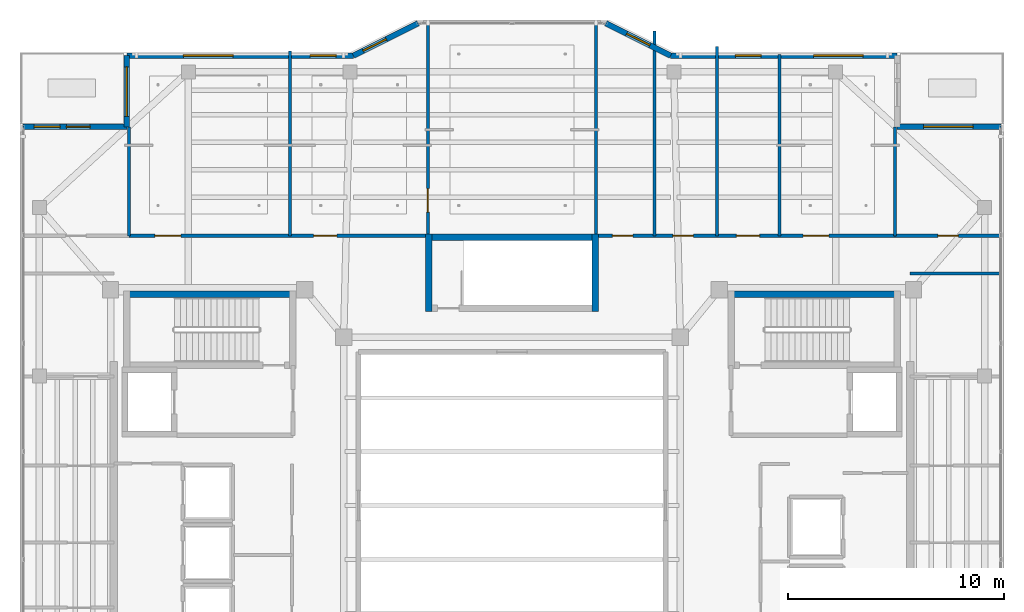
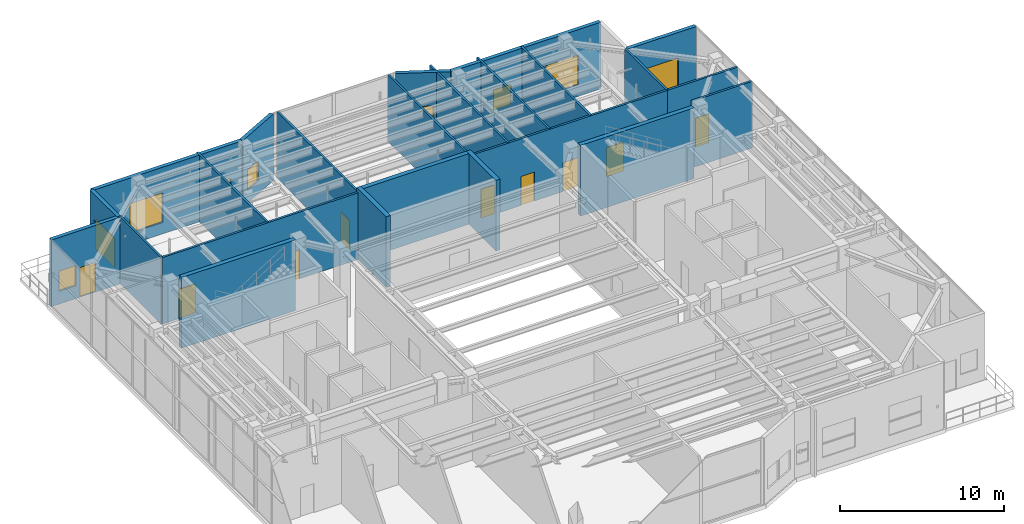
# One storey, part 17 of 23: 24 walls, 9 doors, 9 windows, 18 openings.
"""IFC4 building model written with IfcOpenShell, lengths in metres."""

from ifc_helpers import new_model, si_unit, direction, frame, frame_2d, origin, place, context, subcontext, project, spatial, rectangle, extrude, material, layer, layer_set, type_object, element, fill, save


model = new_model("IFC4")

# Units and contexts
model_context = context("Model", 3, precision=1e-05, world=origin(), true_north=direction((0.0, 1.0)))
body_context = subcontext(model_context, "Body", "Model", "MODEL_VIEW")
ifc_project = project(units=[si_unit("LENGTHUNIT", "METRE"), si_unit("AREAUNIT", "SQUARE_METRE"), si_unit("VOLUMEUNIT", "CUBIC_METRE"), si_unit("PLANEANGLEUNIT", "RADIAN"), si_unit("MASSUNIT", "GRAM", prefix="KILO")], contexts=[model_context])

# Site, building, storey
site_placement = place(None, origin())
site = spatial("IfcSite", under=ifc_project, at=site_placement, CompositionType="ELEMENT")
building_placement = place(site_placement, origin())
building = spatial("IfcBuilding", under=site, at=building_placement, Name="Tarnavaz Court Tower", CompositionType="ELEMENT")
storey_placement = place(building_placement, frame((0.0, 0.0, 276.300048828125)))
storey = spatial("IfcBuildingStorey", under=building, at=storey_placement, Name="L75", CompositionType="ELEMENT", Elevation=276.300048828125)

# Walls
ifc_material_1 = material(Name="Concrete C50/60", Category="concrete")
ifc_layer_1 = layer(ifc_material_1, 0.300048828125)
ifc_layer_set_1 = layer_set([ifc_layer_1], Name="Concrete C50/60")
wall_type_1 = type_object("IfcWallType", Name="WL-CORE-300-C50", PredefinedType="SHEAR", material=ifc_layer_set_1)
for number, where, z_axis, x_axis, name in (
    (1, (-18.0, 9.7900390625, 0.0), (0.0, 0.0, 1.0), (1.0, 0.0, 0.0), "L75 West Stair Core Wall 001"),
    (2, (10.0, 9.7900390625, 0.0), (0.0, 0.0, 1.0), (1.0, 0.0, 0.0), "L75 East Stair Core Wall 005"),
    (3, (-4.0, 12.43994140625, 0.0), (0.0, 0.0, 1.0), (1.0, 0.0, 0.0), "L75 North Stair Core Wall 009"),
):
    element("IfcWall", number, at=place(storey_placement, frame(where, z_axis=z_axis, x_axis=x_axis)), inside=storey, type_object=wall_type_1, Name=name, PredefinedType="SHEAR", context=body_context, shape_type="SweptSolid", body=[
        extrude(rectangle(XDim=8.0, YDim=0.300048828125, at=frame_2d((4.0, 0.0))), origin(), (0.0, 0.0, 1.0), 5.25),
    ])
for number, where, z_axis, x_axis, name in (
    (4, (-3.85009765625, 9.0, 0.0), (0.0, 0.0, 1.0), (0.0, 1.0, 0.0), "L75 North Stair Core Wall 011"),
    (5, (3.85009765625, 9.0, 0.0), (0.0, 0.0, 1.0), (0.0, 1.0, 0.0), "L75 North Stair Core Wall 012"),
):
    element("IfcWall", number, at=place(storey_placement, frame(where, z_axis=z_axis, x_axis=x_axis)), inside=storey, type_object=wall_type_1, Name=name, PredefinedType="SHEAR", context=body_context, shape_type="SweptSolid", body=[
        extrude(rectangle(XDim=3.590087890625, YDim=0.300048828125, at=frame_2d((1.794921875, 0.0))), origin(), (0.0, 0.0, 1.0), 5.25),
    ])

# Wall, openings, door, window
ifc_material_2 = material(Name="Precast Concrete C40/50", Category="concrete")
ifc_layer_2 = layer(ifc_material_2, 0.260009765625)
ifc_layer_set_2 = layer_set([ifc_layer_2], Name="Precast Concrete C40/50")
wall_type_2 = type_object("IfcWallType", Name="WL-EXT-260", PredefinedType="SOLIDWALL", material=ifc_layer_set_2)
wall_1_placement = place(storey_placement, frame((-22.64990234375, 17.550048828125, 0.0), z_axis=(0.0, 0.0, 1.0), x_axis=(1.0, 0.0, 0.0)))
wall_1 = element("IfcWall", 6, at=wall_1_placement, inside=storey, type_object=wall_type_2, Name="L75 Exterior Terracotta Facade Wall 03", PredefinedType="SOLIDWALL", context=body_context, shape_type="SweptSolid", body=[
    extrude(rectangle(XDim=4.7998046875, YDim=0.260009765625, at=frame_2d((2.39990234375, 0.0))), origin(), (0.0, 0.0, 1.0), 4.949951171875),
])
opening_1_placement = place(wall_1_placement, frame((2.0, 0.0, 0.0)))
opening_1 = element("IfcOpeningElement", 7, at=opening_1_placement, cuts=wall_1, Name="Opening TD1", PredefinedType="OPENING", context=body_context, shape_type="SweptSolid", body=[
    extrude(rectangle(XDim=1.10009765625, YDim=2.199951171875, at=frame_2d((0.550048828125, 1.10009765625))), frame((0.0, 0.139892578125, 0.0), z_axis=(0.0, -1.0, 0.0), x_axis=(1.0, 0.0, 0.0)), (0.0, 0.0, 1.0), 0.280029296875),
])
opening_2_placement = place(wall_1_placement, frame((0.50537109375, 0.0, 0.949951171875)))
opening_2 = element("IfcOpeningElement", 8, at=opening_2_placement, cuts=wall_1, Name="Opening W05", PredefinedType="OPENING", context=body_context, shape_type="SweptSolid", body=[
    extrude(rectangle(XDim=1.199951171875, YDim=1.5, at=frame_2d((0.60009765625, 0.75))), frame((0.0, 0.139892578125, 0.0), z_axis=(0.0, -1.0, 0.0), x_axis=(1.0, 0.0, 0.0)), (0.0, 0.0, 1.0), 0.280029296875),
])
ifc_material_3 = material(Name="Thermally Broken Aluminium and Laminated Glass", Category="aluminium")
door_type_1 = type_object("IfcDoorType", Name="DR-TERR-1100", OperationType="NOTDEFINED", PredefinedType="DOOR", material=ifc_material_3)
door_1_placement = place(opening_1_placement, origin())
door_1 = element("IfcDoor", 9, at=door_1_placement, inside=storey, type_object=door_type_1, Name="L75 Sky Terrace Access Door 2", OperationType="SINGLE_SWING_RIGHT", OverallHeight=2.199951171875, OverallWidth=1.10009765625, PredefinedType="DOOR", context=body_context, shape_type="SweptSolid", body=[
    extrude(rectangle(XDim=1.10009765625, YDim=2.199951171875, at=frame_2d((0.550048828125, 1.10009765625))), frame((0.0, 0.02490234375, 0.0), z_axis=(0.0, -1.0, 0.0), x_axis=(1.0, 0.0, 0.0)), (0.0, 0.0, 1.0), 0.050048828125),
])
fill(opening_1, door_1)
ifc_material_4 = material(Name="Double-Glazed Solar Low-E Glass", Category="glass")
window_type_1 = type_object("IfcWindowType", Name="WN-APT-1200", PartitioningType="SINGLE_PANEL", PredefinedType="WINDOW", material=ifc_material_4)
window_1_placement = place(opening_2_placement, origin())
window_1 = element("IfcWindow", 10, at=window_1_placement, inside=storey, type_object=window_type_1, Name="L75 L75 NW Terrace Salon Window", OverallHeight=1.5, OverallWidth=1.199951171875, PartitioningType="SINGLE_PANEL", PredefinedType="WINDOW", context=body_context, shape_type="SweptSolid", body=[
    extrude(rectangle(XDim=1.199951171875, YDim=1.5, at=frame_2d((0.60009765625, 0.75))), frame((0.0, 0.030029296875, 0.0), z_axis=(0.0, -1.0, 0.0), x_axis=(1.0, 0.0, 0.0)), (0.0, 0.0, 1.0), 0.06005859375),
])
fill(opening_2, window_1)

# Wall, opening, window
wall_2_placement = place(storey_placement, frame((-17.85009765625, 17.550048828125, 0.0), z_axis=(0.0, 0.0, 1.0), x_axis=(0.0, 1.0, 0.0)))
wall_2 = element("IfcWall", 11, at=wall_2_placement, inside=storey, type_object=wall_type_2, Name="L75 Exterior Terracotta Facade Wall 04", PredefinedType="SOLIDWALL", context=body_context, shape_type="SweptSolid", body=[
    extrude(rectangle(XDim=3.300048828125, YDim=0.260009765625, at=frame_2d((1.64990234375, 0.0))), origin(), (0.0, 0.0, 1.0), 4.949951171875),
])
opening_3_placement = place(wall_2_placement, frame((0.482421875, 0.0, 0.85009765625)))
opening_3 = element("IfcOpeningElement", 12, at=opening_3_placement, cuts=wall_2, Name="Opening W12", PredefinedType="OPENING", context=body_context, shape_type="SweptSolid", body=[
    extrude(rectangle(XDim=2.300048828125, YDim=2.199951171875, at=frame_2d((1.14990234375, 1.10009765625))), frame((0.0, 0.139892578125, 0.0), z_axis=(0.0, -1.0, 0.0), x_axis=(1.0, 0.0, 0.0)), (0.0, 0.0, 1.0), 0.280029296875),
])
window_type_2 = type_object("IfcWindowType", Name="WN-COM-2300", PartitioningType="DOUBLE_PANEL_VERTICAL", PredefinedType="WINDOW", material=ifc_material_4)
window_2_placement = place(opening_3_placement, origin())
window_2 = element("IfcWindow", 13, at=window_2_placement, inside=storey, type_object=window_type_2, Name="L75 Public Observation Viewing Deck Window", OverallHeight=2.199951171875, OverallWidth=2.300048828125, PartitioningType="SINGLE_PANEL", PredefinedType="WINDOW", context=body_context, shape_type="SweptSolid", body=[
    extrude(rectangle(XDim=2.300048828125, YDim=2.199951171875, at=frame_2d((1.14990234375, 1.10009765625))), frame((0.0, 0.030029296875, 0.0), z_axis=(0.0, -1.0, 0.0), x_axis=(1.0, 0.0, 0.0)), (0.0, 0.0, 1.0), 0.06005859375),
])
fill(opening_3, window_2)

# Wall, openings, windows
wall_3_placement = place(storey_placement, frame((-17.85009765625, 20.85009765625, 0.0), z_axis=(0.0, 0.0, 1.0), x_axis=(1.0, 0.0, 0.0)))
wall_3 = element("IfcWall", 14, at=wall_3_placement, inside=storey, type_object=wall_type_2, Name="L75 Exterior Terracotta Facade Wall 05", PredefinedType="SOLIDWALL", context=body_context, shape_type="SweptSolid", body=[
    extrude(rectangle(XDim=10.5, YDim=0.260009765625, at=frame_2d((5.25, 0.0))), origin(), (0.0, 0.0, 1.0), 4.949951171875),
])
opening_4_placement = place(wall_3_placement, frame((2.625, 0.0, 0.85009765625)))
opening_4 = element("IfcOpeningElement", 15, at=opening_4_placement, cuts=wall_3, Name="Opening W12", PredefinedType="OPENING", context=body_context, shape_type="SweptSolid", body=[
    extrude(rectangle(XDim=2.300048828125, YDim=2.199951171875, at=frame_2d((1.14990234375, 1.10009765625))), frame((0.0, 0.139892578125, 0.0), z_axis=(0.0, -1.0, 0.0), x_axis=(1.0, 0.0, 0.0)), (0.0, 0.0, 1.0), 0.280029296875),
])
opening_5_placement = place(wall_3_placement, frame((8.5, 0.0, 0.949951171875)))
opening_5 = element("IfcOpeningElement", 16, at=opening_5_placement, cuts=wall_3, Name="Opening W05", PredefinedType="OPENING", context=body_context, shape_type="SweptSolid", body=[
    extrude(rectangle(XDim=1.199951171875, YDim=1.5, at=frame_2d((0.60009765625, 0.75))), frame((0.0, 0.139892578125, 0.0), z_axis=(0.0, -1.0, 0.0), x_axis=(1.0, 0.0, 0.0)), (0.0, 0.0, 1.0), 0.280029296875),
])
window_3_placement = place(opening_5_placement, origin())
window_3 = element("IfcWindow", 17, at=window_3_placement, inside=storey, type_object=window_type_1, Name="L75 Skyline Heritage Art Gallery Window", OverallHeight=1.5, OverallWidth=1.199951171875, PartitioningType="SINGLE_PANEL", PredefinedType="WINDOW", context=body_context, shape_type="SweptSolid", body=[
    extrude(rectangle(XDim=1.199951171875, YDim=1.5, at=frame_2d((0.60009765625, 0.75))), frame((0.0, 0.030029296875, 0.0), z_axis=(0.0, -1.0, 0.0), x_axis=(1.0, 0.0, 0.0)), (0.0, 0.0, 1.0), 0.06005859375),
])
fill(opening_5, window_3)
window_4_placement = place(opening_4_placement, origin())
window_4 = element("IfcWindow", 18, at=window_4_placement, inside=storey, type_object=window_type_2, Name="L75 Public Observation Viewing Deck Window", OverallHeight=2.199951171875, OverallWidth=2.300048828125, PartitioningType="SINGLE_PANEL", PredefinedType="WINDOW", context=body_context, shape_type="SweptSolid", body=[
    extrude(rectangle(XDim=2.300048828125, YDim=2.199951171875, at=frame_2d((1.14990234375, 1.10009765625))), frame((0.0, 0.030029296875, 0.0), z_axis=(0.0, -1.0, 0.0), x_axis=(1.0, 0.0, 0.0)), (0.0, 0.0, 1.0), 0.06005859375),
])
fill(opening_4, window_4)

# Wall, opening, window
wall_4_placement = place(storey_placement, frame((-7.35009765625, 20.85009765625, 0.0), z_axis=(0.0, 0.0, 1.0), x_axis=(0.894427191, 0.4472135955, 0.0)))
wall_4 = element("IfcWall", 19, at=wall_4_placement, inside=storey, type_object=wall_type_2, Name="L75 Exterior Terracotta Facade Wall 06", PredefinedType="SOLIDWALL", context=body_context, shape_type="SweptSolid", body=[
    extrude(rectangle(XDim=3.35400390625, YDim=0.260009765625, at=frame_2d((1.677001953125, 0.0))), origin(), (0.0, 0.0, 1.0), 4.949951171875),
])
opening_6_placement = place(wall_4_placement, frame((0.501220703125, 0.0, 0.949951171875)))
opening_6 = element("IfcOpeningElement", 20, at=opening_6_placement, cuts=wall_4, Name="Opening W05", PredefinedType="OPENING", context=body_context, shape_type="SweptSolid", body=[
    extrude(rectangle(XDim=1.199951171875, YDim=1.5, at=frame_2d((0.60009765625, 0.75))), frame((0.0, 0.139892578125, 0.0), z_axis=(0.0, -1.0, 0.0), x_axis=(1.0, 0.0, 0.0)), (0.0, 0.0, 1.0), 0.280029296875),
])
window_5_placement = place(opening_6_placement, origin())
window_5 = element("IfcWindow", 21, at=window_5_placement, inside=storey, type_object=window_type_1, Name="L75 Skyline Heritage Art Gallery Window", OverallHeight=1.5, OverallWidth=1.199951171875, PartitioningType="SINGLE_PANEL", PredefinedType="WINDOW", context=body_context, shape_type="SweptSolid", body=[
    extrude(rectangle(XDim=1.199951171875, YDim=1.5, at=frame_2d((0.60009765625, 0.75))), frame((0.0, 0.030029296875, 0.0), z_axis=(0.0, -1.0, 0.0), x_axis=(1.0, 0.0, 0.0)), (0.0, 0.0, 1.0), 0.06005859375),
])
fill(opening_6, window_5)

wall_5_placement = place(storey_placement, frame((4.35009765625, 22.35009765625, 0.0), z_axis=(0.0, 0.0, 1.0), x_axis=(0.894427191, -0.4472135955, 0.0)))
wall_5 = element("IfcWall", 22, at=wall_5_placement, inside=storey, type_object=wall_type_2, Name="L75 Exterior Terracotta Facade Wall 08", PredefinedType="SOLIDWALL", context=body_context, shape_type="SweptSolid", body=[
    extrude(rectangle(XDim=3.35400390625, YDim=0.260009765625, at=frame_2d((1.677001953125, 0.0))), origin(), (0.0, 0.0, 1.0), 4.949951171875),
])
opening_7_placement = place(wall_5_placement, frame((1.0771484375, 0.0, 0.949951171875)))
opening_7 = element("IfcOpeningElement", 23, at=opening_7_placement, cuts=wall_5, Name="Opening W05", PredefinedType="OPENING", context=body_context, shape_type="SweptSolid", body=[
    extrude(rectangle(XDim=1.199951171875, YDim=1.5, at=frame_2d((0.60009765625, 0.75))), frame((0.0, 0.139892578125, 0.0), z_axis=(0.0, -1.0, 0.0), x_axis=(1.0, 0.0, 0.0)), (0.0, 0.0, 1.0), 0.280029296875),
])
window_6_placement = place(opening_7_placement, origin())
window_6 = element("IfcWindow", 24, at=window_6_placement, inside=storey, type_object=window_type_1, Name="L75 Prow Cheek Bedroom Window 08", OverallHeight=1.5, OverallWidth=1.199951171875, PartitioningType="SINGLE_PANEL", PredefinedType="WINDOW", context=body_context, shape_type="SweptSolid", body=[
    extrude(rectangle(XDim=1.199951171875, YDim=1.5, at=frame_2d((0.60009765625, 0.75))), frame((0.0, 0.030029296875, 0.0), z_axis=(0.0, -1.0, 0.0), x_axis=(1.0, 0.0, 0.0)), (0.0, 0.0, 1.0), 0.06005859375),
])
fill(opening_7, window_6)

# Wall, openings, windows
wall_6_placement = place(storey_placement, frame((7.35009765625, 20.85009765625, 0.0), z_axis=(0.0, 0.0, 1.0), x_axis=(1.0, 0.0, 0.0)))
wall_6 = element("IfcWall", 25, at=wall_6_placement, inside=storey, type_object=wall_type_2, Name="L75 Exterior Terracotta Facade Wall 09", PredefinedType="SOLIDWALL", context=body_context, shape_type="SweptSolid", body=[
    extrude(rectangle(XDim=10.5, YDim=0.260009765625, at=frame_2d((5.25, 0.0))), origin(), (0.0, 0.0, 1.0), 4.949951171875),
])
opening_8_placement = place(wall_6_placement, frame((3.0, 0.0, 0.949951171875)))
opening_8 = element("IfcOpeningElement", 26, at=opening_8_placement, cuts=wall_6, Name="Opening W05", PredefinedType="OPENING", context=body_context, shape_type="SweptSolid", body=[
    extrude(rectangle(XDim=1.199951171875, YDim=1.5, at=frame_2d((0.60009765625, 0.75))), frame((0.0, 0.139892578125, 0.0), z_axis=(0.0, -1.0, 0.0), x_axis=(1.0, 0.0, 0.0)), (0.0, 0.0, 1.0), 0.280029296875),
])
opening_9_placement = place(wall_6_placement, frame((6.625, 0.0, 0.85009765625)))
opening_9 = element("IfcOpeningElement", 27, at=opening_9_placement, cuts=wall_6, Name="Opening W12", PredefinedType="OPENING", context=body_context, shape_type="SweptSolid", body=[
    extrude(rectangle(XDim=2.300048828125, YDim=2.199951171875, at=frame_2d((1.14990234375, 1.10009765625))), frame((0.0, 0.139892578125, 0.0), z_axis=(0.0, -1.0, 0.0), x_axis=(1.0, 0.0, 0.0)), (0.0, 0.0, 1.0), 0.280029296875),
])
window_7_placement = place(opening_8_placement, origin())
window_7 = element("IfcWindow", 28, at=window_7_placement, inside=storey, type_object=window_type_1, Name="L75 Community Seminar Meeting Room Window", OverallHeight=1.5, OverallWidth=1.199951171875, PartitioningType="SINGLE_PANEL", PredefinedType="WINDOW", context=body_context, shape_type="SweptSolid", body=[
    extrude(rectangle(XDim=1.199951171875, YDim=1.5, at=frame_2d((0.60009765625, 0.75))), frame((0.0, 0.030029296875, 0.0), z_axis=(0.0, -1.0, 0.0), x_axis=(1.0, 0.0, 0.0)), (0.0, 0.0, 1.0), 0.06005859375),
])
fill(opening_8, window_7)
window_8_placement = place(opening_9_placement, origin())
window_8 = element("IfcWindow", 29, at=window_8_placement, inside=storey, type_object=window_type_2, Name="L75 Panoramic Exhibition Lecture Room Window", OverallHeight=2.199951171875, OverallWidth=2.300048828125, PartitioningType="SINGLE_PANEL", PredefinedType="WINDOW", context=body_context, shape_type="SweptSolid", body=[
    extrude(rectangle(XDim=2.300048828125, YDim=2.199951171875, at=frame_2d((1.14990234375, 1.10009765625))), frame((0.0, 0.030029296875, 0.0), z_axis=(0.0, -1.0, 0.0), x_axis=(1.0, 0.0, 0.0)), (0.0, 0.0, 1.0), 0.06005859375),
])
fill(opening_9, window_8)

# Wall, opening, window
wall_7_placement = place(storey_placement, frame((17.85009765625, 17.550048828125, 0.0), z_axis=(0.0, 0.0, 1.0), x_axis=(1.0, 0.0, 0.0)))
wall_7 = element("IfcWall", 30, at=wall_7_placement, inside=storey, type_object=wall_type_2, Name="L75 Exterior Terracotta Facade Wall 11", PredefinedType="SOLIDWALL", context=body_context, shape_type="SweptSolid", body=[
    extrude(rectangle(XDim=4.7998046875, YDim=0.260009765625, at=frame_2d((2.39990234375, 0.0))), origin(), (0.0, 0.0, 1.0), 4.949951171875),
])
opening_10_placement = place(wall_7_placement, frame((1.224609375, 0.0, 0.85009765625)))
opening_10 = element("IfcOpeningElement", 31, at=opening_10_placement, cuts=wall_7, Name="Opening W12", PredefinedType="OPENING", context=body_context, shape_type="SweptSolid", body=[
    extrude(rectangle(XDim=2.300048828125, YDim=2.199951171875, at=frame_2d((1.14990234375, 1.10009765625))), frame((0.0, 0.139892578125, 0.0), z_axis=(0.0, -1.0, 0.0), x_axis=(1.0, 0.0, 0.0)), (0.0, 0.0, 1.0), 0.280029296875),
])
window_9_placement = place(opening_10_placement, origin())
window_9 = element("IfcWindow", 32, at=window_9_placement, inside=storey, type_object=window_type_2, Name="L75 L75 NE Terrace Salon Window", OverallHeight=2.199951171875, OverallWidth=2.300048828125, PartitioningType="SINGLE_PANEL", PredefinedType="WINDOW", context=body_context, shape_type="SweptSolid", body=[
    extrude(rectangle(XDim=2.300048828125, YDim=2.199951171875, at=frame_2d((1.14990234375, 1.10009765625))), frame((0.0, 0.030029296875, 0.0), z_axis=(0.0, -1.0, 0.0), x_axis=(1.0, 0.0, 0.0)), (0.0, 0.0, 1.0), 0.06005859375),
])
fill(opening_10, window_9)

# Wall, openings, doors
ifc_material_5 = material(Name="Gypsum Fire-Board on Acoustic Metal Stud", Category="masonry")
ifc_layer_3 = layer(ifc_material_5, 0.14990234375)
ifc_layer_set_3 = layer_set([ifc_layer_3], Name="Gypsum Fire-Board on Acoustic Metal Stud")
wall_type_3 = type_object("IfcWallType", Name="WL-FIRE-150", PredefinedType="PARTITIONING", material=ifc_layer_set_3)
wall_8_placement = place(storey_placement, frame((-17.75, 12.5, 0.0), z_axis=(0.0, 0.0, 1.0), x_axis=(1.0, 0.0, 0.0)))
wall_8 = element("IfcWall", 33, at=wall_8_placement, inside=storey, type_object=wall_type_3, Name="L75 NW Wing Corridor Wall 057", PredefinedType="PARTITIONING", context=body_context, shape_type="SweptSolid", body=[
    extrude(rectangle(XDim=13.89990234375, YDim=0.14990234375, at=frame_2d((6.949951171875, 0.0))), origin(), (0.0, 0.0, 1.0), 4.949951171875),
])
opening_11_placement = place(wall_8_placement, frame((1.199951171875, 0.0, 0.0)))
opening_11 = element("IfcOpeningElement", 34, at=opening_11_placement, cuts=wall_8, Name="Opening D11", PredefinedType="OPENING", context=body_context, shape_type="SweptSolid", body=[
    extrude(rectangle(XDim=1.199951171875, YDim=2.14990234375, at=frame_2d((0.60009765625, 1.074951171875))), frame((0.0, 0.0849609375, 0.0), z_axis=(0.0, -1.0, 0.0), x_axis=(1.0, 0.0, 0.0)), (0.0, 0.0, 1.0), 0.169921875),
])
opening_12_placement = place(wall_8_placement, frame((8.552001953125, 0.0, 0.0)))
opening_12 = element("IfcOpeningElement", 35, at=opening_12_placement, cuts=wall_8, Name="Opening D12", PredefinedType="OPENING", context=body_context, shape_type="SweptSolid", body=[
    extrude(rectangle(XDim=1.080078125, YDim=2.14990234375, at=frame_2d((0.5400390625, 1.074951171875))), frame((0.0, 0.0849609375, 0.0), z_axis=(0.0, -1.0, 0.0), x_axis=(1.0, 0.0, 0.0)), (0.0, 0.0, 1.0), 0.169921875),
])
ifc_material_6 = material(Name="Engineered Oak Timber", Category="wood")
door_type_2 = type_object("IfcDoorType", Name="DR-INT-1100", OperationType="NOTDEFINED", PredefinedType="DOOR", material=ifc_material_6)
door_2_placement = place(opening_12_placement, origin())
door_2 = element("IfcDoor", 36, at=door_2_placement, inside=storey, type_object=door_type_2, Name="L75 Skyline Heritage Art Gallery Door", OperationType="SINGLE_SWING_RIGHT", OverallHeight=2.14990234375, OverallWidth=1.080078125, PredefinedType="DOOR", context=body_context, shape_type="SweptSolid", body=[
    extrude(rectangle(XDim=1.080078125, YDim=2.14990234375, at=frame_2d((0.5400390625, 1.074951171875))), frame((0.0, 0.02490234375, 0.0), z_axis=(0.0, -1.0, 0.0), x_axis=(1.0, 0.0, 0.0)), (0.0, 0.0, 1.0), 0.050048828125),
])
fill(opening_12, door_2)
door_type_3 = type_object("IfcDoorType", Name="DR-INT-1200", OperationType="NOTDEFINED", PredefinedType="DOOR", material=ifc_material_6)
door_3_placement = place(opening_11_placement, origin())
door_3 = element("IfcDoor", 37, at=door_3_placement, inside=storey, type_object=door_type_3, Name="L75 Public Observation Viewing Deck Door", OperationType="SINGLE_SWING_LEFT", OverallHeight=2.14990234375, OverallWidth=1.199951171875, PredefinedType="DOOR", context=body_context, shape_type="SweptSolid", body=[
    extrude(rectangle(XDim=1.199951171875, YDim=2.14990234375, at=frame_2d((0.60009765625, 1.074951171875))), frame((0.0, 0.02490234375, 0.0), z_axis=(0.0, -1.0, 0.0), x_axis=(1.0, 0.0, 0.0)), (0.0, 0.0, 1.0), 0.050048828125),
])
fill(opening_11, door_3)

wall_9_placement = place(storey_placement, frame((3.85009765625, 12.5, 0.0), z_axis=(0.0, 0.0, 1.0), x_axis=(1.0, 0.0, 0.0)))
wall_9 = element("IfcWall", 38, at=wall_9_placement, inside=storey, type_object=wall_type_3, Name="L75 NE Wing Corridor Wall 058", PredefinedType="PARTITIONING", context=body_context, shape_type="SweptSolid", body=[
    extrude(rectangle(XDim=13.89990234375, YDim=0.14990234375, at=frame_2d((6.949951171875, 0.0))), origin(), (0.0, 0.0, 1.0), 4.949951171875),
])
opening_13_placement = place(wall_9_placement, frame((0.800048828125, 0.0, 0.0)))
opening_13 = element("IfcOpeningElement", 39, at=opening_13_placement, cuts=wall_9, Name="Opening D13", PredefinedType="OPENING", context=body_context, shape_type="SweptSolid", body=[
    extrude(rectangle(XDim=0.949951171875, YDim=2.14990234375, at=frame_2d((0.47509765625, 1.074951171875))), frame((0.0, 0.0849609375, 0.0), z_axis=(0.0, -1.0, 0.0), x_axis=(1.0, 0.0, 0.0)), (0.0, 0.0, 1.0), 0.169921875),
])
opening_14_placement = place(wall_9_placement, frame((3.60009765625, 0.0, 0.0)))
opening_14 = element("IfcOpeningElement", 40, at=opening_14_placement, cuts=wall_9, Name="Opening D13", PredefinedType="OPENING", context=body_context, shape_type="SweptSolid", body=[
    extrude(rectangle(XDim=0.949951171875, YDim=2.14990234375, at=frame_2d((0.47509765625, 1.074951171875))), frame((0.0, 0.0849609375, 0.0), z_axis=(0.0, -1.0, 0.0), x_axis=(1.0, 0.0, 0.0)), (0.0, 0.0, 1.0), 0.169921875),
])
opening_15_placement = place(wall_9_placement, frame((6.550048828125, 0.0, 0.0)))
opening_15 = element("IfcOpeningElement", 41, at=opening_15_placement, cuts=wall_9, Name="Opening D12", PredefinedType="OPENING", context=body_context, shape_type="SweptSolid", body=[
    extrude(rectangle(XDim=1.080078125, YDim=2.14990234375, at=frame_2d((0.5400390625, 1.074951171875))), frame((0.0, 0.0849609375, 0.0), z_axis=(0.0, -1.0, 0.0), x_axis=(1.0, 0.0, 0.0)), (0.0, 0.0, 1.0), 0.169921875),
])
opening_16_placement = place(wall_9_placement, frame((9.636962890625, 0.0, 0.0)))
opening_16 = element("IfcOpeningElement", 42, at=opening_16_placement, cuts=wall_9, Name="Opening D11", PredefinedType="OPENING", context=body_context, shape_type="SweptSolid", body=[
    extrude(rectangle(XDim=1.199951171875, YDim=2.14990234375, at=frame_2d((0.60009765625, 1.074951171875))), frame((0.0, 0.0849609375, 0.0), z_axis=(0.0, -1.0, 0.0), x_axis=(1.0, 0.0, 0.0)), (0.0, 0.0, 1.0), 0.169921875),
])
door_4_placement = place(opening_15_placement, origin())
door_4 = element("IfcDoor", 43, at=door_4_placement, inside=storey, type_object=door_type_2, Name="L75 Community Meeting Room Door", OperationType="SINGLE_SWING_RIGHT", OverallHeight=2.14990234375, OverallWidth=1.080078125, PredefinedType="DOOR", context=body_context, shape_type="SweptSolid", body=[
    extrude(rectangle(XDim=1.080078125, YDim=2.14990234375, at=frame_2d((0.5400390625, 1.074951171875))), frame((0.0, 0.02490234375, 0.0), z_axis=(0.0, -1.0, 0.0), x_axis=(1.0, 0.0, 0.0)), (0.0, 0.0, 1.0), 0.050048828125),
])
fill(opening_15, door_4)
door_5_placement = place(opening_16_placement, origin())
door_5 = element("IfcDoor", 44, at=door_5_placement, inside=storey, type_object=door_type_3, Name="L75 Panoramic Exhibition Lecture Room Door", OperationType="SINGLE_SWING_LEFT", OverallHeight=2.14990234375, OverallWidth=1.199951171875, PredefinedType="DOOR", context=body_context, shape_type="SweptSolid", body=[
    extrude(rectangle(XDim=1.199951171875, YDim=2.14990234375, at=frame_2d((0.60009765625, 1.074951171875))), frame((0.0, 0.02490234375, 0.0), z_axis=(0.0, -1.0, 0.0), x_axis=(1.0, 0.0, 0.0)), (0.0, 0.0, 1.0), 0.050048828125),
])
fill(opening_16, door_5)
door_type_4 = type_object("IfcDoorType", Name="DR-INT-950", OperationType="NOTDEFINED", PredefinedType="DOOR", material=ifc_material_6)
door_6_placement = place(opening_13_placement, origin())
door_6 = element("IfcDoor", 45, at=door_6_placement, inside=storey, type_object=door_type_4, Name="L75 Accessible WC Door", OperationType="SINGLE_SWING_RIGHT", OverallHeight=2.14990234375, OverallWidth=0.949951171875, PredefinedType="DOOR", context=body_context, shape_type="SweptSolid", body=[
    extrude(rectangle(XDim=0.949951171875, YDim=2.14990234375, at=frame_2d((0.47509765625, 1.074951171875))), frame((0.0, 0.02490234375, 0.0), z_axis=(0.0, -1.0, 0.0), x_axis=(1.0, 0.0, 0.0)), (0.0, 0.0, 1.0), 0.050048828125),
])
fill(opening_13, door_6)
door_7_placement = place(opening_14_placement, origin())
door_7 = element("IfcDoor", 46, at=door_7_placement, inside=storey, type_object=door_type_4, Name="L75 Public Toilets Door", OperationType="SINGLE_SWING_LEFT", OverallHeight=2.14990234375, OverallWidth=0.949951171875, PredefinedType="DOOR", context=body_context, shape_type="SweptSolid", body=[
    extrude(rectangle(XDim=0.949951171875, YDim=2.14990234375, at=frame_2d((0.47509765625, 1.074951171875))), frame((0.0, 0.02490234375, 0.0), z_axis=(0.0, -1.0, 0.0), x_axis=(1.0, 0.0, 0.0)), (0.0, 0.0, 1.0), 0.050048828125),
])
fill(opening_14, door_7)

# Wall
wall_10_placement = place(storey_placement, frame((18.449951171875, 10.75, 0.0), z_axis=(0.0, 0.0, 1.0), x_axis=(1.0, 0.0, 0.0)))
element("IfcWall", 47, at=wall_10_placement, inside=storey, type_object=wall_type_3, Name="L75 Interior Partition 076", PredefinedType="PARTITIONING", context=body_context, shape_type="SweptSolid", body=[
    extrude(rectangle(XDim=4.22998046875, YDim=0.14990234375, at=frame_2d((2.114990234375, 0.0))), origin(), (0.0, 0.0, 1.0), 4.949951171875),
])

# Wall, opening, door
wall_11_placement = place(storey_placement, frame((17.75, 12.5, 0.0), z_axis=(0.0, 0.0, 1.0), x_axis=(1.0, 0.0, 0.0)))
wall_11 = element("IfcWall", 48, at=wall_11_placement, inside=storey, type_object=wall_type_3, Name="L75 Interior Partition 082", PredefinedType="PARTITIONING", context=body_context, shape_type="SweptSolid", body=[
    extrude(rectangle(XDim=4.929931640625, YDim=0.14990234375, at=frame_2d((2.46484375, 0.0))), origin(), (0.0, 0.0, 1.0), 4.949951171875),
])
opening_17_placement = place(wall_11_placement, frame((1.989990234375, 0.0, 0.0)))
opening_17 = element("IfcOpeningElement", 49, at=opening_17_placement, cuts=wall_11, Name="Opening D13", PredefinedType="OPENING", context=body_context, shape_type="SweptSolid", body=[
    extrude(rectangle(XDim=0.949951171875, YDim=2.14990234375, at=frame_2d((0.47509765625, 1.074951171875))), frame((0.0, 0.0849609375, 0.0), z_axis=(0.0, -1.0, 0.0), x_axis=(1.0, 0.0, 0.0)), (0.0, 0.0, 1.0), 0.169921875),
])
door_8_placement = place(opening_17_placement, origin())
door_8 = element("IfcDoor", 50, at=door_8_placement, inside=storey, type_object=door_type_4, Name="L75 NE Terrace Salon Door", OperationType="SINGLE_SWING_LEFT", OverallHeight=2.14990234375, OverallWidth=0.949951171875, PredefinedType="DOOR", context=body_context, shape_type="SweptSolid", body=[
    extrude(rectangle(XDim=0.949951171875, YDim=2.14990234375, at=frame_2d((0.47509765625, 1.074951171875))), frame((0.0, 0.02490234375, 0.0), z_axis=(0.0, -1.0, 0.0), x_axis=(1.0, 0.0, 0.0)), (0.0, 0.0, 1.0), 0.050048828125),
])
fill(opening_17, door_8)

ifc_material_7 = material(Name="Gypsum Plasterboard Acoustic Partition", Category="masonry")
ifc_layer_4 = layer(ifc_material_7, 0.139892578125)
ifc_layer_set_4 = layer_set([ifc_layer_4], Name="Gypsum Plasterboard Acoustic Partition")
wall_type_4 = type_object("IfcWallType", Name="WL-PART-150", PredefinedType="PARTITIONING", material=ifc_layer_set_4)
wall_12_placement = place(storey_placement, frame((-3.89990234375, 12.5, 0.0), z_axis=(0.0, 0.0, 1.0), x_axis=(0.0, 1.0, 0.0)))
wall_12 = element("IfcWall", 51, at=wall_12_placement, inside=storey, type_object=wall_type_4, Name="L75 Interior Partition 061", PredefinedType="PARTITIONING", context=body_context, shape_type="SweptSolid", body=[
    extrude(rectangle(XDim=9.8798828125, YDim=0.139892578125, at=frame_2d((4.93994140625, 0.0))), origin(), (0.0, 0.0, 1.0), 4.949951171875),
])
opening_18_placement = place(wall_12_placement, frame((1.10009765625, 0.0, 0.0)))
opening_18 = element("IfcOpeningElement", 52, at=opening_18_placement, cuts=wall_12, Name="Opening D12", PredefinedType="OPENING", context=body_context, shape_type="SweptSolid", body=[
    extrude(rectangle(XDim=1.080078125, YDim=2.14990234375, at=frame_2d((0.5400390625, 1.074951171875))), frame((0.0, 0.079833984375, 0.0), z_axis=(0.0, -1.0, 0.0), x_axis=(1.0, 0.0, 0.0)), (0.0, 0.0, 1.0), 0.159912109375),
])
door_9_placement = place(opening_18_placement, origin())
door_9 = element("IfcDoor", 53, at=door_9_placement, inside=storey, type_object=door_type_2, Name="L75 North Iwan Sky Salon Door", OperationType="SINGLE_SWING_LEFT", OverallHeight=2.14990234375, OverallWidth=1.080078125, PredefinedType="DOOR", context=body_context, shape_type="SweptSolid", body=[
    extrude(rectangle(XDim=1.080078125, YDim=2.14990234375, at=frame_2d((0.5400390625, 1.074951171875))), frame((0.0, 0.02490234375, 0.0), z_axis=(0.0, -1.0, 0.0), x_axis=(1.0, 0.0, 0.0)), (0.0, 0.0, 1.0), 0.050048828125),
])
fill(opening_18, door_9)

# Walls
wall_13_placement = place(storey_placement, frame((3.89990234375, 12.5, 0.0), z_axis=(0.0, 0.0, 1.0), x_axis=(0.0, 1.0, 0.0)))
element("IfcWall", 54, at=wall_13_placement, inside=storey, type_object=wall_type_4, Name="L75 Interior Partition 062", PredefinedType="PARTITIONING", context=body_context, shape_type="SweptSolid", body=[
    extrude(rectangle(XDim=9.8798828125, YDim=0.139892578125, at=frame_2d((4.93994140625, 0.0))), origin(), (0.0, 0.0, 1.0), 4.949951171875),
])
wall_14_placement = place(storey_placement, frame((-10.298095703125, 12.5, 0.0), z_axis=(0.0, 0.0, 1.0), x_axis=(0.0, 1.0, 0.0)))
element("IfcWall", 55, at=wall_14_placement, inside=storey, type_object=wall_type_4, Name="L75 Interior Partition 063", PredefinedType="PARTITIONING", context=body_context, shape_type="SweptSolid", body=[
    extrude(rectangle(XDim=8.572998046875, YDim=0.139892578125, at=frame_2d((4.28662109375, 0.0))), origin(), (0.0, 0.0, 1.0), 4.949951171875),
])
wall_15_placement = place(storey_placement, frame((6.60009765625, 12.5, 0.0), z_axis=(0.0, 0.0, 1.0), x_axis=(0.0, 1.0, 0.0)))
element("IfcWall", 56, at=wall_15_placement, inside=storey, type_object=wall_type_4, Name="L75 Interior Partition 064", PredefinedType="PARTITIONING", context=body_context, shape_type="SweptSolid", body=[
    extrude(rectangle(XDim=9.485107421875, YDim=0.139892578125, at=frame_2d((4.74267578125, 0.0))), origin(), (0.0, 0.0, 1.0), 4.949951171875),
])
wall_16_placement = place(storey_placement, frame((9.5, 12.5, 0.0), z_axis=(0.0, 0.0, 1.0), x_axis=(0.0, 1.0, 0.0)))
element("IfcWall", 57, at=wall_16_placement, inside=storey, type_object=wall_type_4, Name="L75 Interior Partition 065", PredefinedType="PARTITIONING", context=body_context, shape_type="SweptSolid", body=[
    extrude(rectangle(XDim=8.77001953125, YDim=0.139892578125, at=frame_2d((4.385009765625, 0.0))), origin(), (0.0, 0.0, 1.0), 4.949951171875),
])
wall_17_placement = place(storey_placement, frame((12.386962890625, 12.5, 0.0), z_axis=(0.0, 0.0, 1.0), x_axis=(0.0, 1.0, 0.0)))
element("IfcWall", 58, at=wall_17_placement, inside=storey, type_object=wall_type_4, Name="L75 Interior Partition 066", PredefinedType="PARTITIONING", context=body_context, shape_type="SweptSolid", body=[
    extrude(rectangle(XDim=8.39990234375, YDim=0.139892578125, at=frame_2d((4.199951171875, 0.0))), origin(), (0.0, 0.0, 1.0), 4.949951171875),
])
for number, where, z_axis, x_axis, name in (
    (59, (-17.75, 12.5, 0.0), (0.0, 0.0, 1.0), (0.0, 1.0, 0.0), "L75 Interior Partition 079"),
    (60, (17.75, 12.5, 0.0), (0.0, 0.0, 1.0), (0.0, 1.0, 0.0), "L75 Interior Partition 080"),
):
    element("IfcWall", number, at=place(storey_placement, frame(where, z_axis=z_axis, x_axis=x_axis)), inside=storey, type_object=wall_type_4, Name=name, PredefinedType="PARTITIONING", context=body_context, shape_type="SweptSolid", body=[
        extrude(rectangle(XDim=5.050048828125, YDim=0.139892578125, at=frame_2d((2.52490234375, 0.0))), origin(), (0.0, 0.0, 1.0), 4.949951171875),
    ])

save(model, "model.ifc")
